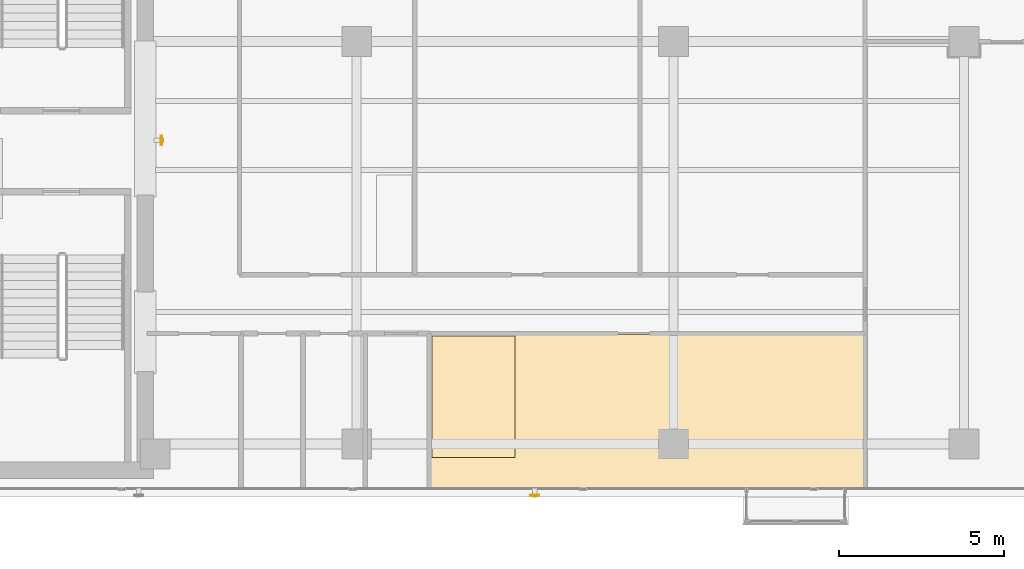
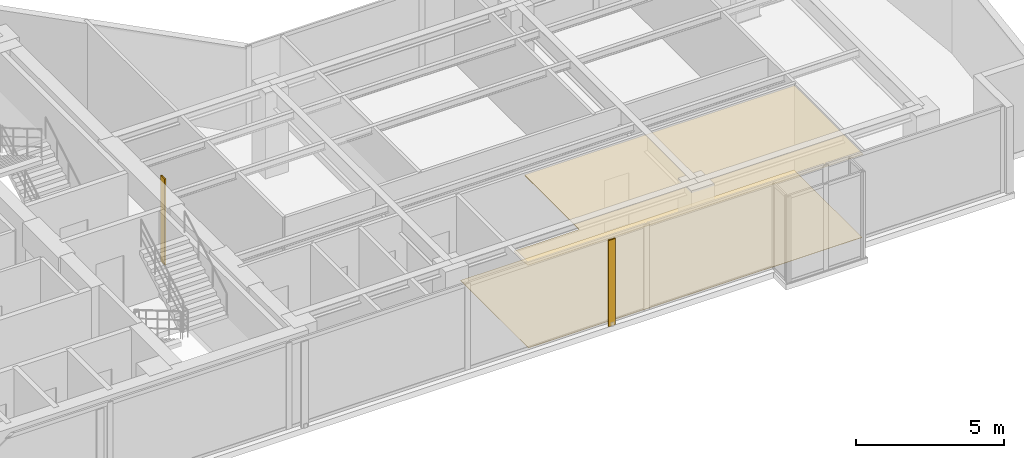
# One storey, part 20 of 23: 2 coverings, 2 shading devices.
"""IFC4 building model written with IfcOpenShell, lengths in metres."""

from ifc_helpers import new_model, si_unit, direction, frame, origin, origin_2d, place, context, subcontext, project, spatial, polyline, hollow_rectangle, outline, extrude, material, layer, layer_set, material_profile, profile_set, type_object, element, save


model = new_model("IFC4")

# Units and contexts
model_context = context("Model", 3, precision=1e-05, world=origin(), true_north=direction((0.0, 1.0)))
body_context = subcontext(model_context, "Body", "Model", "MODEL_VIEW")
ifc_project = project(units=[si_unit("LENGTHUNIT", "METRE"), si_unit("AREAUNIT", "SQUARE_METRE"), si_unit("VOLUMEUNIT", "CUBIC_METRE"), si_unit("PLANEANGLEUNIT", "RADIAN"), si_unit("MASSUNIT", "GRAM", prefix="KILO")], contexts=[model_context])

# Site, building, storey
site_placement = place(None, origin())
site = spatial("IfcSite", under=ifc_project, at=site_placement, CompositionType="ELEMENT")
building_placement = place(site_placement, origin())
building = spatial("IfcBuilding", under=site, at=building_placement, Name="Kolvaren Waterfront Exchange", CompositionType="ELEMENT")
storey_placement = place(building_placement, frame((0.0, 0.0, 289.39990234375)))
storey = spatial("IfcBuildingStorey", under=building, at=storey_placement, Name="L74", CompositionType="ELEMENT", Elevation=289.39990234375)

# Covering
ifc_material_1 = material(Name="Mineral fibre acoustic ceiling tile")
ifc_layer_1 = layer(ifc_material_1, 0.02490234375, Name="Mineral fibre acoustic ceiling tile")
ifc_layer_set_1 = layer_set([ifc_layer_1], Name="Mineral fibre acoustic ceiling tile")
covering_type_1 = type_object("IfcCoveringType", Name="ARC-CEIL-ACOUSTIC-25", PredefinedType="CEILING", material=ifc_layer_set_1)
covering_1_placement = place(storey_placement, frame((0.0, 0.0, 3.445068359375)))
element("IfcCovering", 1, at=covering_1_placement, inside=storey, type_object=covering_type_1, Name="L74 acoustic suspended ceiling 1", PredefinedType="CEILING", context=body_context, shape_type="SweptSolid", body=[
    extrude(outline(polyline([(42.554931640625, 3.844970703125), (42.554931640625, 8.514892578125), (32.0, 8.514892578125), (32.0, 4.800048828125), (29.445068359375, 4.800048828125), (29.445068359375, 3.844970703125), (42.554931640625, 3.844970703125)])), origin(), (0.0, 0.0, 1.0), 0.025146484375),
])

# Shading devices
ifc_material_2 = material(Name="Anodised bronze aluminium 6063-T6", Category="aluminium")
ifc_material_profile = material_profile(ifc_material_2, hollow_rectangle(XDim=0.054931640625, YDim=0.280029296875, WallThickness=0.00439453125, at=origin_2d()), Name="BRZ-FIN-280x55x4.5")
ifc_profile_set = profile_set([ifc_material_profile], Name="Anodised bronze aluminium 6063-T6")
shading_device_type = type_object("IfcShadingDeviceType", Name="ARC-FIN-280", PredefinedType="USERDEFINED", material=ifc_profile_set)
for number, where, z_axis, x_axis, name in (
    (2, (32.60009765625, 3.639892578125, 0.0), (0.0, 0.0, 1.0), (0.0, -1.0, 0.0), "L74 anodised bronze solar shading fin FIN-L74-S3"),
    (3, (21.286376953125, 14.39990234375, 0.0), (0.0, 0.0, 1.0), (1.0, 0.0, 0.0), "L74 anodised bronze solar shading fin FIN-L74-E1"),
):
    element("IfcShadingDevice", number, at=place(storey_placement, frame(where, z_axis=z_axis, x_axis=x_axis)), inside=storey, type_object=shading_device_type, Name=name, ObjectType="SOLAR FIN", PredefinedType="USERDEFINED", context=body_context, shape_type="SweptSolid", body=[
        extrude(hollow_rectangle(XDim=0.054931640625, YDim=0.280029296875, WallThickness=0.00439453125, at=origin_2d()), origin(), (0.0, 0.0, 1.0), 3.56005859375),
    ])

# Covering
ifc_material_3 = material(Name="Slip-resistant porcelain tile")
ifc_layer_2 = layer(ifc_material_3, 0.014892578125, Name="Slip-resistant porcelain tile")
ifc_layer_set_2 = layer_set([ifc_layer_2], Name="Slip-resistant porcelain tile")
covering_type_2 = type_object("IfcCoveringType", Name="ARC-FLR-PORC-15", PredefinedType="FLOORING", material=ifc_layer_set_2)
covering_2_placement = place(storey_placement, origin())
element("IfcCovering", 4, at=covering_2_placement, inside=storey, type_object=covering_type_2, Name="L74 floor finish 1", PredefinedType="FLOORING", context=body_context, shape_type="SweptSolid", body=[
    extrude(outline(polyline([(29.47998046875, 8.47998046875), (29.47998046875, 3.8798828125), (42.52001953125, 3.8798828125), (42.52001953125, 8.47998046875), (29.47998046875, 8.47998046875)])), origin(), (0.0, 0.0, 1.0), 0.01513671875),
])

save(model, "model.ifc")
